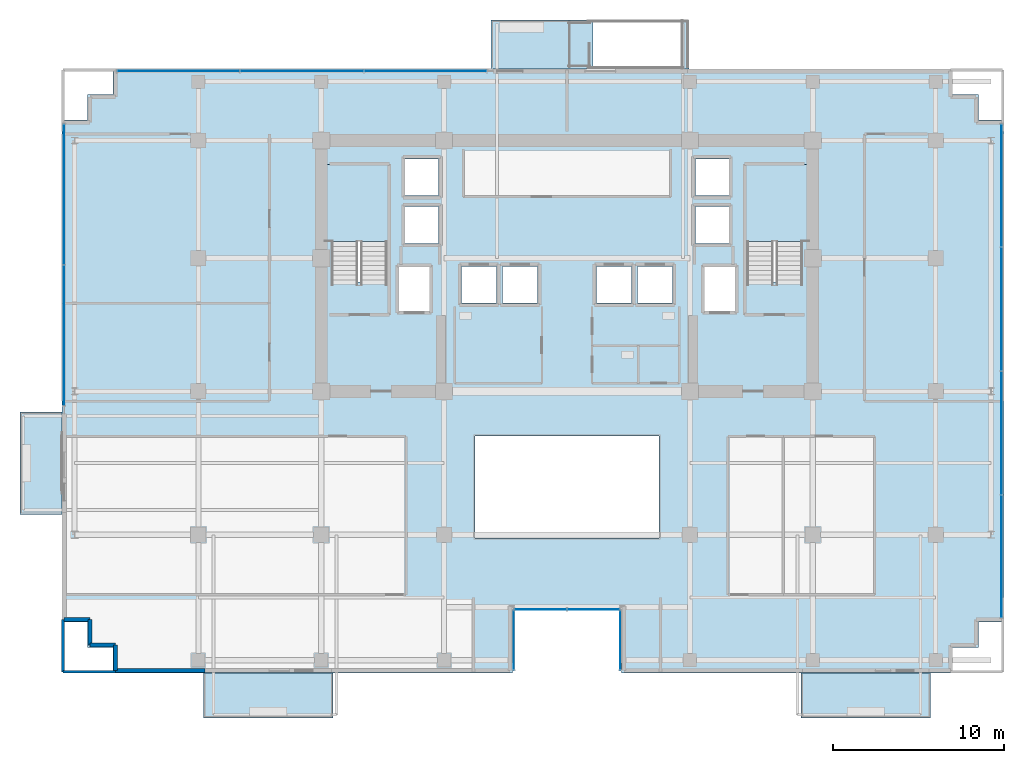
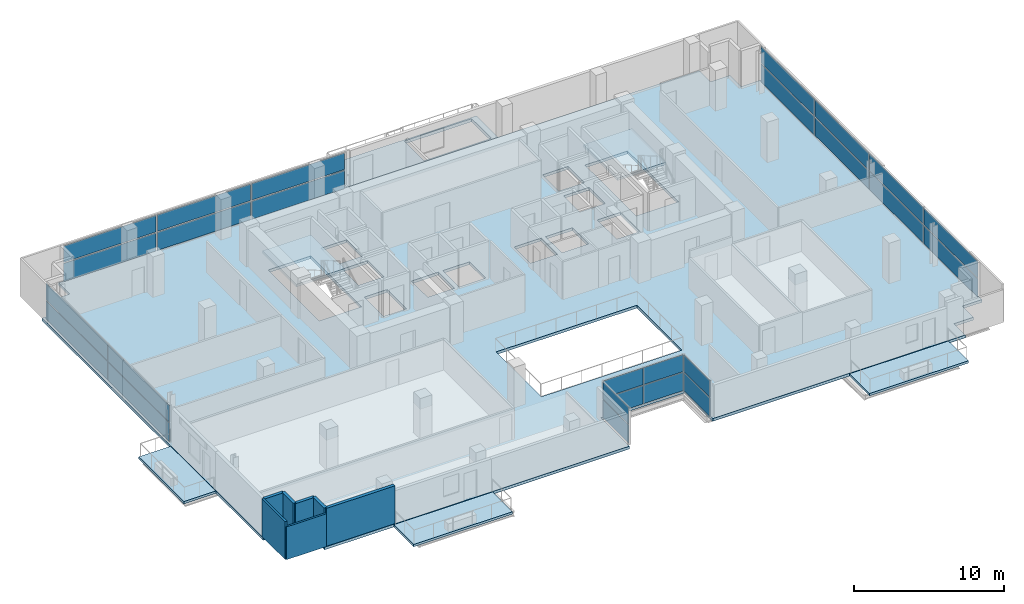
# One storey, part 19 of 28: 26 plates, 7 slabs, 7 walls, 8 elements without a shape of their own.
"""IFC4 building model written with IfcOpenShell, lengths in metres."""

from ifc_helpers import new_model, si_unit, direction, frame, frame_2d, origin, origin_2d, place, context, subcontext, project, spatial, polyline, rectangle, outline, extrude, source, transform, mapped, material, layer, layer_set, type_object, element, aggregate, save


model = new_model("IFC4")

# Units and contexts
model_context = context("Model", 3, precision=1e-05, world=origin(), true_north=direction((0.0, 1.0)))
body_context = subcontext(model_context, "Body", "Model", "MODEL_VIEW")
ifc_project = project(units=[si_unit("LENGTHUNIT", "METRE"), si_unit("AREAUNIT", "SQUARE_METRE"), si_unit("VOLUMEUNIT", "CUBIC_METRE"), si_unit("PLANEANGLEUNIT", "RADIAN"), si_unit("MASSUNIT", "GRAM", prefix="KILO")], contexts=[model_context])

# Site, building, storey
site_placement = place(None, origin())
site = spatial("IfcSite", under=ifc_project, at=site_placement, CompositionType="ELEMENT")
building_placement = place(site_placement, origin())
building = spatial("IfcBuilding", under=site, at=building_placement, Name="Zarnakvel Exchange Tower", CompositionType="ELEMENT")
storey_placement = place(building_placement, frame((0.0, 0.0, 90.10009765625)))
storey = spatial("IfcBuildingStorey", under=building, at=storey_placement, Name="L24", CompositionType="ELEMENT", Elevation=90.10009765625)

# Stair, slab
ifc_material_1 = material(Name="Concrete C40/50", Category="concrete")
stair_type = type_object("IfcStairType", Name="STR-01", PredefinedType="HALF_TURN_STAIR", material=ifc_material_1)
stair_1_placement = place(storey_placement, origin())
stair_1 = element("IfcStair", 1, at=stair_1_placement, inside=storey, type_object=stair_type, Name="L24 Protected Core Exit Stair ST-01", PredefinedType="HALF_TURN_STAIR")
ifc_layer_1 = layer(ifc_material_1, 0.199951171875)
ifc_layer_set_1 = layer_set([ifc_layer_1], Name="Concrete C40/50")
slab_type_1 = type_object("IfcSlabType", Name="LDG-01", PredefinedType="LANDING", material=ifc_layer_set_1)
slab_1_placement = place(storey_placement, frame((0.0, 0.0, 1.449951171875)))
slab_1 = element("IfcSlab", 2, at=slab_1_placement, type_object=slab_type_1, Name="ST-01 landing 1", PredefinedType="LANDING", context=body_context, shape_type="SweptSolid", body=[
    extrude(outline(polyline([(-14.18994140625, 7.570068359375), (-10.4599609375, 7.570068359375), (-10.4599609375, 12.080078125), (-14.18994140625, 12.080078125), (-14.18994140625, 7.570068359375)])), origin(), (0.0, 0.0, 1.0), 0.199951171875),
])
aggregate(stair_1, [slab_1])

stair_2_placement = place(storey_placement, origin())
stair_2 = element("IfcStair", 3, at=stair_2_placement, inside=storey, type_object=stair_type, Name="L24 Protected Core Exit Stair ST-02", PredefinedType="HALF_TURN_STAIR")
slab_2_placement = place(storey_placement, frame((0.0, 0.0, 1.449951171875)))
slab_2 = element("IfcSlab", 4, at=slab_2_placement, type_object=slab_type_1, Name="ST-02 landing 1", PredefinedType="LANDING", context=body_context, shape_type="SweptSolid", body=[
    extrude(outline(polyline([(10.4599609375, 7.570068359375), (14.18994140625, 7.570068359375), (14.18994140625, 12.080078125), (10.4599609375, 12.080078125), (10.4599609375, 7.570068359375)])), origin(), (0.0, 0.0, 1.0), 0.199951171875),
])
aggregate(stair_2, [slab_2])

# Slabs
ifc_layer_2 = layer(ifc_material_1, 0.22509765625)
ifc_layer_set_2 = layer_set([ifc_layer_2], Name="Concrete C40/50")
slab_type_2 = type_object("IfcSlabType", Name="SL-04", PredefinedType="FLOOR", material=ifc_layer_set_2)
slab_3_placement = place(storey_placement, frame((0.0, 0.0, -0.22509765625)))
element("IfcSlab", 5, at=slab_3_placement, inside=storey, type_object=slab_type_2, Name="L24 Primary Structural Floor Slab", PredefinedType="FLOOR", context=body_context, shape_type="SweptSolid", body=[
    extrude(outline(polyline([(-29.60009765625, -14.699951171875), (-28.10009765625, -14.699951171875), (-28.10009765625, -16.199951171875), (-26.60009765625, -16.199951171875), (-26.60009765625, -17.699951171875), (-3.199951171875, -17.699951171875), (-3.199951171875, -13.89990234375), (3.199951171875, -13.89990234375), (3.199951171875, -17.699951171875), (22.60009765625, -17.699951171875), (22.60009765625, -16.199951171875), (24.10009765625, -16.199951171875), (24.10009765625, -14.699951171875), (25.60009765625, -14.699951171875), (25.60009765625, 14.699951171875), (24.10009765625, 14.699951171875), (24.10009765625, 16.199951171875), (22.60009765625, 16.199951171875), (22.60009765625, 17.699951171875), (-26.60009765625, 17.699951171875), (-26.60009765625, 16.199951171875), (-28.10009765625, 16.199951171875), (-28.10009765625, 14.699951171875), (-29.60009765625, 14.699951171875), (-29.60009765625, -14.699951171875)]), holes=[polyline([(-5.39990234375, -9.800048828125), (5.39990234375, -9.800048828125), (5.39990234375, -3.800048828125), (-5.39990234375, -3.800048828125), (-5.39990234375, -9.800048828125)]), polyline([(-13.800048828125, 5.2099609375), (-10.5400390625, 5.2099609375), (-10.5400390625, 12.0), (-13.800048828125, 12.0), (-13.800048828125, 5.2099609375)]), polyline([(10.5400390625, 5.2099609375), (13.800048828125, 5.2099609375), (13.800048828125, 12.0), (10.5400390625, 12.0), (10.5400390625, 5.2099609375)]), polyline([(-9.830078125, 3.52001953125), (-8.070068359375, 3.52001953125), (-8.070068359375, 6.080078125), (-9.830078125, 6.080078125), (-9.830078125, 3.52001953125)]), polyline([(8.070068359375, 3.52001953125), (9.830078125, 3.52001953125), (9.830078125, 6.080078125), (8.070068359375, 6.080078125), (8.070068359375, 3.52001953125)]), polyline([(-6.179931640625, 3.969970703125), (-4.1201171875, 3.969970703125), (-4.1201171875, 6.1298828125), (-6.179931640625, 6.1298828125), (-6.179931640625, 3.969970703125)]), polyline([(-3.780029296875, 3.969970703125), (-1.719970703125, 3.969970703125), (-1.719970703125, 6.1298828125), (-3.780029296875, 6.1298828125), (-3.780029296875, 3.969970703125)]), polyline([(1.719970703125, 3.969970703125), (3.780029296875, 3.969970703125), (3.780029296875, 6.1298828125), (1.719970703125, 6.1298828125), (1.719970703125, 3.969970703125)]), polyline([(4.1201171875, 3.969970703125), (6.179931640625, 3.969970703125), (6.179931640625, 6.1298828125), (4.1201171875, 6.1298828125), (4.1201171875, 3.969970703125)]), polyline([(-9.47998046875, 7.469970703125), (-7.52001953125, 7.469970703125), (-7.52001953125, 9.6298828125), (-9.47998046875, 9.6298828125), (-9.47998046875, 7.469970703125)]), polyline([(-9.47998046875, 10.27001953125), (-7.52001953125, 10.27001953125), (-7.52001953125, 12.429931640625), (-9.47998046875, 12.429931640625), (-9.47998046875, 10.27001953125)]), polyline([(7.52001953125, 7.469970703125), (9.47998046875, 7.469970703125), (9.47998046875, 9.6298828125), (7.52001953125, 9.6298828125), (7.52001953125, 7.469970703125)]), polyline([(7.52001953125, 10.27001953125), (9.47998046875, 10.27001953125), (9.47998046875, 12.429931640625), (7.52001953125, 12.429931640625), (7.52001953125, 10.27001953125)])]), origin(), (0.0, 0.0, 1.0), 0.22509765625),
])
ifc_layer_3 = layer(ifc_material_1, 0.25)
ifc_layer_set_3 = layer_set([ifc_layer_3], Name="Concrete C40/50")
slab_type_3 = type_object("IfcSlabType", Name="SL-07", PredefinedType="ROOF", material=ifc_layer_set_3)
slab_4_placement = place(storey_placement, frame((0.0, 0.0, -0.25)))
element("IfcSlab", 6, at=slab_4_placement, inside=storey, type_object=slab_type_3, Name="L24 Spiral Sky-Terrace Outdoor Slab (NE)", PredefinedType="ROOF", context=body_context, shape_type="SweptSolid", body=[
    extrude(outline(polyline([(-4.449951171875, 17.699951171875), (7.14990234375, 17.699951171875), (7.14990234375, 20.56005859375), (-4.449951171875, 20.56005859375), (-4.449951171875, 17.699951171875)]), holes=[polyline([(1.510009765625, 17.820068359375), (6.699951171875, 17.820068359375), (6.699951171875, 20.43994140625), (1.510009765625, 20.43994140625), (1.510009765625, 17.820068359375)])]), origin(), (0.0, 0.0, 1.0), 0.25),
])
ifc_layer_4 = layer(ifc_material_1, 0.18994140625)
ifc_layer_set_4 = layer_set([ifc_layer_4], Name="Concrete C40/50")
slab_type_4 = type_object("IfcSlabType", Name="SL-08", PredefinedType="USERDEFINED", material=ifc_layer_set_4)
slab_5_placement = place(storey_placement, frame((0.0, 0.0, -0.22509765625)))
element("IfcSlab", 7, at=slab_5_placement, inside=storey, type_object=slab_type_4, Name="L24 Planted Loggia Balcony Slab BAL-L24-SW", ObjectType="BALCONY", PredefinedType="USERDEFINED", context=body_context, shape_type="SweptSolid", body=[
    extrude(outline(polyline([(-21.300048828125, -20.35009765625), (-13.699951171875, -20.35009765625), (-13.699951171875, -17.699951171875), (-21.300048828125, -17.699951171875), (-21.300048828125, -20.35009765625)])), origin(), (0.0, 0.0, 1.0), 0.18994140625),
])
slab_6_placement = place(storey_placement, frame((0.0, 0.0, -0.22509765625)))
element("IfcSlab", 8, at=slab_6_placement, inside=storey, type_object=slab_type_4, Name="L24 Planted Loggia Balcony Slab BAL-L24-SE", ObjectType="BALCONY", PredefinedType="USERDEFINED", context=body_context, shape_type="SweptSolid", body=[
    extrude(outline(polyline([(13.699951171875, -20.35009765625), (21.300048828125, -20.35009765625), (21.300048828125, -17.699951171875), (13.699951171875, -17.699951171875), (13.699951171875, -20.35009765625)])), origin(), (0.0, 0.0, 1.0), 0.18994140625),
])
slab_7_placement = place(storey_placement, frame((0.0, 0.0, -0.22509765625)))
element("IfcSlab", 9, at=slab_7_placement, inside=storey, type_object=slab_type_4, Name="L24 Planted Loggia Balcony Slab BAL-L24-W", ObjectType="BALCONY", PredefinedType="USERDEFINED", context=body_context, shape_type="SweptSolid", body=[
    extrude(outline(polyline([(-32.050048828125, -8.39990234375), (-29.60009765625, -8.39990234375), (-29.60009765625, -2.39990234375), (-32.050048828125, -2.39990234375), (-32.050048828125, -8.39990234375)])), origin(), (0.0, 0.0, 1.0), 0.18994140625),
])

# Curtain wall, plate
ifc_material_2 = material(Name="Architectural Bronze Anodised Aluminium", Category="aluminium")
ifc_layer_5 = layer(ifc_material_2, 0.179931640625)
ifc_layer_set_5 = layer_set([ifc_layer_5], Name="Architectural Bronze Anodised Aluminium")
curtain_wall_type_1 = type_object("IfcCurtainWallType", Name="CW-05", PredefinedType="NOTDEFINED", material=ifc_layer_set_5)
curtain_wall_1_placement = place(storey_placement, origin())
curtain_wall_1 = element("IfcCurtainWall", 10, at=curtain_wall_1_placement, inside=storey, type_object=curtain_wall_type_1, Name="L24 Curtain Wall CW-L24-SLW (CW-05)", PredefinedType="NOTDEFINED")
ifc_material_3 = material(Name="Double Low-E Laminated Vision Glass", Category="glass")
ifc_layer_6 = layer(ifc_material_3, 0.02587890625)
ifc_layer_set_6 = layer_set([ifc_layer_6], Name="Double Low-E Laminated Vision Glass")
plate_type_1 = type_object("IfcPlateType", Name="CWP-05", PredefinedType="CURTAIN_PANEL", material=ifc_layer_set_6)
shared_shape_1 = source(origin(), body_context, "Body", "SweptSolid", [
    extrude(rectangle(XDim=3.4599609375, YDim=0.02587890625, at=origin_2d()), origin(), (0.0, 0.0, 1.0), 1.483642578125),
])
plate_1_placement = place(storey_placement, frame((-3.1201171875, -15.780029296875, 0.06982421875), z_axis=(0.0, 0.0, 1.0), x_axis=(0.0, 1.0, 0.0)))
plate_1 = element("IfcPlate", 11, at=plate_1_placement, type_object=plate_type_1, Name="CW-05 panel 1.1", PredefinedType="CURTAIN_PANEL", context=body_context, shape_type="MappedRepresentation", body=[
    mapped(shared_shape_1, transform((0.0, 0.0, 0.0), x_axis=(1.0, 0.0, 0.0), y_axis=(0.0, 1.0, 0.0), z_axis=(0.0, 0.0, 1.0), scale=1.0)),
])

curtain_wall_2_placement = place(storey_placement, origin())
curtain_wall_2 = element("IfcCurtainWall", 12, at=curtain_wall_2_placement, inside=storey, type_object=curtain_wall_type_1, Name="L24 Curtain Wall CW-L24-SLE (CW-05)", PredefinedType="NOTDEFINED")
plate_2_placement = place(storey_placement, frame((3.1201171875, -15.780029296875, 0.06982421875), z_axis=(0.0, 0.0, 1.0), x_axis=(0.0, -1.0, 0.0)))
plate_2 = element("IfcPlate", 13, at=plate_2_placement, type_object=plate_type_1, Name="CW-05 panel 1.1", PredefinedType="CURTAIN_PANEL", context=body_context, shape_type="MappedRepresentation", body=[
    mapped(shared_shape_1, transform((0.0, 0.0, 0.0), x_axis=(1.0, 0.0, 0.0), y_axis=(0.0, 1.0, 0.0), z_axis=(0.0, 0.0, 1.0), scale=1.0)),
])

# Plate
shared_shape_2 = source(origin(), body_context, "Body", "SweptSolid", [
    extrude(rectangle(XDim=3.4599609375, YDim=0.02587890625, at=origin_2d()), origin(), (0.0, 0.0, 1.0), 1.361328125),
])
plate_3_placement = place(storey_placement, frame((-3.1201171875, -15.780029296875, 1.62353515625), z_axis=(0.0, 0.0, 1.0), x_axis=(0.0, 1.0, 0.0)))
plate_3 = element("IfcPlate", 14, at=plate_3_placement, type_object=plate_type_1, Name="CW-05 panel 1.2", PredefinedType="CURTAIN_PANEL", context=body_context, shape_type="MappedRepresentation", body=[
    mapped(shared_shape_2, transform((0.0, 0.0, 0.0), x_axis=(1.0, 0.0, 0.0), y_axis=(0.0, 1.0, 0.0), z_axis=(0.0, 0.0, 1.0), scale=1.0)),
])

aggregate(curtain_wall_1, [plate_1, plate_3])

plate_4_placement = place(storey_placement, frame((3.1201171875, -15.780029296875, 1.62353515625), z_axis=(0.0, 0.0, 1.0), x_axis=(0.0, -1.0, 0.0)))
plate_4 = element("IfcPlate", 15, at=plate_4_placement, type_object=plate_type_1, Name="CW-05 panel 1.2", PredefinedType="CURTAIN_PANEL", context=body_context, shape_type="MappedRepresentation", body=[
    mapped(shared_shape_2, transform((0.0, 0.0, 0.0), x_axis=(1.0, 0.0, 0.0), y_axis=(0.0, 1.0, 0.0), z_axis=(0.0, 0.0, 1.0), scale=1.0)),
])

aggregate(curtain_wall_2, [plate_2, plate_4])

# Curtain wall, plates
curtain_wall_3_placement = place(storey_placement, origin())
curtain_wall_3 = element("IfcCurtainWall", 16, at=curtain_wall_3_placement, inside=storey, type_object=curtain_wall_type_1, Name="L24 Curtain Wall CW-L24-SLB (CW-05)", PredefinedType="NOTDEFINED")
shared_shape_3 = source(origin(), body_context, "Body", "SweptSolid", [
    extrude(rectangle(XDim=3.014892578125, YDim=0.02587890625, at=origin_2d()), origin(), (0.0, 0.0, 1.0), 1.483642578125),
])
plate_5_placement = place(storey_placement, frame((-1.54248046875, -13.97998046875, 0.06982421875), z_axis=(0.0, 0.0, 1.0), x_axis=(1.0, 0.0, 0.0)))
plate_5 = element("IfcPlate", 17, at=plate_5_placement, type_object=plate_type_1, Name="CW-05 panel 1.1", PredefinedType="CURTAIN_PANEL", context=body_context, shape_type="MappedRepresentation", body=[
    mapped(shared_shape_3, transform((0.0, 0.0, 0.0), x_axis=(1.0, 0.0, 0.0), y_axis=(0.0, 1.0, 0.0), z_axis=(0.0, 0.0, 1.0), scale=1.0)),
])
plate_6_placement = place(storey_placement, frame((1.54248046875, -13.97998046875, 0.06982421875), z_axis=(0.0, 0.0, 1.0), x_axis=(1.0, 0.0, 0.0)))
plate_6 = element("IfcPlate", 18, at=plate_6_placement, type_object=plate_type_1, Name="CW-05 panel 2.1", PredefinedType="CURTAIN_PANEL", context=body_context, shape_type="MappedRepresentation", body=[
    mapped(shared_shape_3, transform((0.0, 0.0, 0.0), x_axis=(1.0, 0.0, 0.0), y_axis=(0.0, 1.0, 0.0), z_axis=(0.0, 0.0, 1.0), scale=1.0)),
])
shared_shape_4 = source(origin(), body_context, "Body", "SweptSolid", [
    extrude(rectangle(XDim=3.014892578125, YDim=0.02587890625, at=origin_2d()), origin(), (0.0, 0.0, 1.0), 1.361328125),
])
plate_7_placement = place(storey_placement, frame((-1.54248046875, -13.97998046875, 1.62353515625), z_axis=(0.0, 0.0, 1.0), x_axis=(1.0, 0.0, 0.0)))
plate_7 = element("IfcPlate", 19, at=plate_7_placement, type_object=plate_type_1, Name="CW-05 panel 1.2", PredefinedType="CURTAIN_PANEL", context=body_context, shape_type="MappedRepresentation", body=[
    mapped(shared_shape_4, transform((0.0, 0.0, 0.0), x_axis=(1.0, 0.0, 0.0), y_axis=(0.0, 1.0, 0.0), z_axis=(0.0, 0.0, 1.0), scale=1.0)),
])
plate_8_placement = place(storey_placement, frame((1.54248046875, -13.97998046875, 1.62353515625), z_axis=(0.0, 0.0, 1.0), x_axis=(1.0, 0.0, 0.0)))
plate_8 = element("IfcPlate", 20, at=plate_8_placement, type_object=plate_type_1, Name="CW-05 panel 2.2", PredefinedType="CURTAIN_PANEL", context=body_context, shape_type="MappedRepresentation", body=[
    mapped(shared_shape_4, transform((0.0, 0.0, 0.0), x_axis=(1.0, 0.0, 0.0), y_axis=(0.0, 1.0, 0.0), z_axis=(0.0, 0.0, 1.0), scale=1.0)),
])
aggregate(curtain_wall_3, [plate_5, plate_7, plate_6, plate_8])

ifc_layer_7 = layer(ifc_material_2, 0.239990234375)
ifc_layer_set_7 = layer_set([ifc_layer_7], Name="Architectural Bronze Anodised Aluminium")
curtain_wall_type_2 = type_object("IfcCurtainWallType", Name="CW-02", PredefinedType="NOTDEFINED", material=ifc_layer_set_7)
curtain_wall_4_placement = place(storey_placement, origin())
curtain_wall_4 = element("IfcCurtainWall", 21, at=curtain_wall_4_placement, inside=storey, type_object=curtain_wall_type_2, Name="L24 Curtain Wall CW-L24-N1 (CW-02)", PredefinedType="NOTDEFINED")
ifc_layer_8 = layer(ifc_material_3, 0.031982421875)
ifc_layer_set_8 = layer_set([ifc_layer_8], Name="Double Low-E Laminated Vision Glass")
plate_type_2 = type_object("IfcPlateType", Name="CWP-02", PredefinedType="CURTAIN_PANEL", material=ifc_layer_set_8)
shared_shape_5 = source(origin(), body_context, "Body", "SweptSolid", [
    extrude(rectangle(XDim=7.114990234375, YDim=0.031982421875, at=origin_2d()), origin(), (0.0, 0.0, 1.0), 1.461181640625),
])
plate_9_placement = place(storey_placement, frame((-22.75244140625, 17.56005859375, 0.0849609375), z_axis=(0.0, 0.0, 1.0), x_axis=(1.0, 0.0, 0.0)))
plate_9 = element("IfcPlate", 22, at=plate_9_placement, type_object=plate_type_2, Name="CW-02 panel 1.1", PredefinedType="CURTAIN_PANEL", context=body_context, shape_type="MappedRepresentation", body=[
    mapped(shared_shape_5, transform((0.0, 0.0, 0.0), x_axis=(1.0, 0.0, 0.0), y_axis=(0.0, 1.0, 0.0), z_axis=(0.0, 0.0, 1.0), scale=1.0)),
])
plate_10_placement = place(storey_placement, frame((-8.297607421875, 17.56005859375, 0.0849609375), z_axis=(0.0, 0.0, 1.0), x_axis=(1.0, 0.0, 0.0)))
plate_10 = element("IfcPlate", 23, at=plate_10_placement, type_object=plate_type_2, Name="CW-02 panel 3.1", PredefinedType="CURTAIN_PANEL", context=body_context, shape_type="MappedRepresentation", body=[
    mapped(shared_shape_5, transform((0.0, 0.0, 0.0), x_axis=(1.0, 0.0, 0.0), y_axis=(0.0, 1.0, 0.0), z_axis=(0.0, 0.0, 1.0), scale=1.0)),
])
shared_shape_6 = source(origin(), body_context, "Body", "SweptSolid", [
    extrude(rectangle(XDim=7.114990234375, YDim=0.031982421875, at=origin_2d()), origin(), (0.0, 0.0, 1.0), 1.3388671875),
])
plate_11_placement = place(storey_placement, frame((-22.75244140625, 17.56005859375, 1.631103515625), z_axis=(0.0, 0.0, 1.0), x_axis=(1.0, 0.0, 0.0)))
plate_11 = element("IfcPlate", 24, at=plate_11_placement, type_object=plate_type_2, Name="CW-02 panel 1.2", PredefinedType="CURTAIN_PANEL", context=body_context, shape_type="MappedRepresentation", body=[
    mapped(shared_shape_6, transform((0.0, 0.0, 0.0), x_axis=(1.0, 0.0, 0.0), y_axis=(0.0, 1.0, 0.0), z_axis=(0.0, 0.0, 1.0), scale=1.0)),
])
plate_12_placement = place(storey_placement, frame((-8.297607421875, 17.56005859375, 1.631103515625), z_axis=(0.0, 0.0, 1.0), x_axis=(1.0, 0.0, 0.0)))
plate_12 = element("IfcPlate", 25, at=plate_12_placement, type_object=plate_type_2, Name="CW-02 panel 3.2", PredefinedType="CURTAIN_PANEL", context=body_context, shape_type="MappedRepresentation", body=[
    mapped(shared_shape_6, transform((0.0, 0.0, 0.0), x_axis=(1.0, 0.0, 0.0), y_axis=(0.0, 1.0, 0.0), z_axis=(0.0, 0.0, 1.0), scale=1.0)),
])
shared_shape_7 = source(origin(), body_context, "Body", "SweptSolid", [
    extrude(rectangle(XDim=7.159912109375, YDim=0.031982421875, at=origin_2d()), origin(), (0.0, 0.0, 1.0), 1.461181640625),
])
plate_13_placement = place(storey_placement, frame((-15.52490234375, 17.56005859375, 0.0849609375), z_axis=(0.0, 0.0, 1.0), x_axis=(1.0, 0.0, 0.0)))
plate_13 = element("IfcPlate", 26, at=plate_13_placement, type_object=plate_type_2, Name="CW-02 panel 2.1", PredefinedType="CURTAIN_PANEL", context=body_context, shape_type="MappedRepresentation", body=[
    mapped(shared_shape_7, transform((0.0, 0.0, 0.0), x_axis=(1.0, 0.0, 0.0), y_axis=(0.0, 1.0, 0.0), z_axis=(0.0, 0.0, 1.0), scale=1.0)),
])
shared_shape_8 = source(origin(), body_context, "Body", "SweptSolid", [
    extrude(rectangle(XDim=7.159912109375, YDim=0.031982421875, at=origin_2d()), origin(), (0.0, 0.0, 1.0), 1.3388671875),
])
plate_14_placement = place(storey_placement, frame((-15.52490234375, 17.56005859375, 1.631103515625), z_axis=(0.0, 0.0, 1.0), x_axis=(1.0, 0.0, 0.0)))
plate_14 = element("IfcPlate", 27, at=plate_14_placement, type_object=plate_type_2, Name="CW-02 panel 2.2", PredefinedType="CURTAIN_PANEL", context=body_context, shape_type="MappedRepresentation", body=[
    mapped(shared_shape_8, transform((0.0, 0.0, 0.0), x_axis=(1.0, 0.0, 0.0), y_axis=(0.0, 1.0, 0.0), z_axis=(0.0, 0.0, 1.0), scale=1.0)),
])
aggregate(curtain_wall_4, [plate_9, plate_11, plate_13, plate_14, plate_10, plate_12])

ifc_layer_9 = layer(ifc_material_2, 0.199951171875)
ifc_layer_set_9 = layer_set([ifc_layer_9], Name="Architectural Bronze Anodised Aluminium")
curtain_wall_type_3 = type_object("IfcCurtainWallType", Name="CW-04", PredefinedType="NOTDEFINED", material=ifc_layer_set_9)
curtain_wall_5_placement = place(storey_placement, origin())
curtain_wall_5 = element("IfcCurtainWall", 28, at=curtain_wall_5_placement, inside=storey, type_object=curtain_wall_type_3, Name="L24 Curtain Wall CW-L24-E1 (CW-04)", PredefinedType="NOTDEFINED")
ifc_layer_10 = layer(ifc_material_3, 0.028076171875)
ifc_layer_set_10 = layer_set([ifc_layer_10], Name="Double Low-E Laminated Vision Glass")
plate_type_3 = type_object("IfcPlateType", Name="CWP-04", PredefinedType="CURTAIN_PANEL", material=ifc_layer_set_10)
shared_shape_9 = source(origin(), body_context, "Body", "SweptSolid", [
    extrude(rectangle(XDim=7.137451171875, YDim=0.028076171875, at=origin_2d()), origin(), (0.0, 0.0, 1.0), 1.47607421875),
])
plate_15_placement = place(storey_placement, frame((25.4599609375, -10.856201171875, 0.074951171875), z_axis=(0.0, 0.0, 1.0), x_axis=(0.0, 1.0, 0.0)))
plate_15 = element("IfcPlate", 29, at=plate_15_placement, type_object=plate_type_3, Name="CW-04 panel 1.1", PredefinedType="CURTAIN_PANEL", context=body_context, shape_type="MappedRepresentation", body=[
    mapped(shared_shape_9, transform((0.0, 0.0, 0.0), x_axis=(1.0, 0.0, 0.0), y_axis=(0.0, 1.0, 0.0), z_axis=(0.0, 0.0, 1.0), scale=1.0)),
])
plate_16_placement = place(storey_placement, frame((25.4599609375, 10.856201171875, 0.074951171875), z_axis=(0.0, 0.0, 1.0), x_axis=(0.0, 1.0, 0.0)))
plate_16 = element("IfcPlate", 30, at=plate_16_placement, type_object=plate_type_3, Name="CW-04 panel 4.1", PredefinedType="CURTAIN_PANEL", context=body_context, shape_type="MappedRepresentation", body=[
    mapped(shared_shape_9, transform((0.0, 0.0, 0.0), x_axis=(1.0, 0.0, 0.0), y_axis=(0.0, 1.0, 0.0), z_axis=(0.0, 0.0, 1.0), scale=1.0)),
])
shared_shape_10 = source(origin(), body_context, "Body", "SweptSolid", [
    extrude(rectangle(XDim=7.137451171875, YDim=0.028076171875, at=origin_2d()), origin(), (0.0, 0.0, 1.0), 1.35400390625),
])
plate_17_placement = place(storey_placement, frame((25.4599609375, -10.856201171875, 1.6259765625), z_axis=(0.0, 0.0, 1.0), x_axis=(0.0, 1.0, 0.0)))
plate_17 = element("IfcPlate", 31, at=plate_17_placement, type_object=plate_type_3, Name="CW-04 panel 1.2", PredefinedType="CURTAIN_PANEL", context=body_context, shape_type="MappedRepresentation", body=[
    mapped(shared_shape_10, transform((0.0, 0.0, 0.0), x_axis=(1.0, 0.0, 0.0), y_axis=(0.0, 1.0, 0.0), z_axis=(0.0, 0.0, 1.0), scale=1.0)),
])
plate_18_placement = place(storey_placement, frame((25.4599609375, 10.856201171875, 1.6259765625), z_axis=(0.0, 0.0, 1.0), x_axis=(0.0, 1.0, 0.0)))
plate_18 = element("IfcPlate", 32, at=plate_18_placement, type_object=plate_type_3, Name="CW-04 panel 4.2", PredefinedType="CURTAIN_PANEL", context=body_context, shape_type="MappedRepresentation", body=[
    mapped(shared_shape_10, transform((0.0, 0.0, 0.0), x_axis=(1.0, 0.0, 0.0), y_axis=(0.0, 1.0, 0.0), z_axis=(0.0, 0.0, 1.0), scale=1.0)),
])
shared_shape_11 = source(origin(), body_context, "Body", "SweptSolid", [
    extrude(rectangle(XDim=7.175048828125, YDim=0.028076171875, at=origin_2d()), origin(), (0.0, 0.0, 1.0), 1.47607421875),
])
plate_19_placement = place(storey_placement, frame((25.4599609375, -3.625, 0.074951171875), z_axis=(0.0, 0.0, 1.0), x_axis=(0.0, 1.0, 0.0)))
plate_19 = element("IfcPlate", 33, at=plate_19_placement, type_object=plate_type_3, Name="CW-04 panel 2.1", PredefinedType="CURTAIN_PANEL", context=body_context, shape_type="MappedRepresentation", body=[
    mapped(shared_shape_11, transform((0.0, 0.0, 0.0), x_axis=(1.0, 0.0, 0.0), y_axis=(0.0, 1.0, 0.0), z_axis=(0.0, 0.0, 1.0), scale=1.0)),
])
plate_20_placement = place(storey_placement, frame((25.4599609375, 3.625, 0.074951171875), z_axis=(0.0, 0.0, 1.0), x_axis=(0.0, 1.0, 0.0)))
plate_20 = element("IfcPlate", 34, at=plate_20_placement, type_object=plate_type_3, Name="CW-04 panel 3.1", PredefinedType="CURTAIN_PANEL", context=body_context, shape_type="MappedRepresentation", body=[
    mapped(shared_shape_11, transform((0.0, 0.0, 0.0), x_axis=(1.0, 0.0, 0.0), y_axis=(0.0, 1.0, 0.0), z_axis=(0.0, 0.0, 1.0), scale=1.0)),
])
shared_shape_12 = source(origin(), body_context, "Body", "SweptSolid", [
    extrude(rectangle(XDim=7.175048828125, YDim=0.028076171875, at=origin_2d()), origin(), (0.0, 0.0, 1.0), 1.35400390625),
])
plate_21_placement = place(storey_placement, frame((25.4599609375, -3.625, 1.6259765625), z_axis=(0.0, 0.0, 1.0), x_axis=(0.0, 1.0, 0.0)))
plate_21 = element("IfcPlate", 35, at=plate_21_placement, type_object=plate_type_3, Name="CW-04 panel 2.2", PredefinedType="CURTAIN_PANEL", context=body_context, shape_type="MappedRepresentation", body=[
    mapped(shared_shape_12, transform((0.0, 0.0, 0.0), x_axis=(1.0, 0.0, 0.0), y_axis=(0.0, 1.0, 0.0), z_axis=(0.0, 0.0, 1.0), scale=1.0)),
])
plate_22_placement = place(storey_placement, frame((25.4599609375, 3.625, 1.6259765625), z_axis=(0.0, 0.0, 1.0), x_axis=(0.0, 1.0, 0.0)))
plate_22 = element("IfcPlate", 36, at=plate_22_placement, type_object=plate_type_3, Name="CW-04 panel 3.2", PredefinedType="CURTAIN_PANEL", context=body_context, shape_type="MappedRepresentation", body=[
    mapped(shared_shape_12, transform((0.0, 0.0, 0.0), x_axis=(1.0, 0.0, 0.0), y_axis=(0.0, 1.0, 0.0), z_axis=(0.0, 0.0, 1.0), scale=1.0)),
])
aggregate(curtain_wall_5, [plate_15, plate_17, plate_19, plate_21, plate_20, plate_22, plate_16, plate_18])

curtain_wall_6_placement = place(storey_placement, origin())
curtain_wall_6 = element("IfcCurtainWall", 37, at=curtain_wall_6_placement, inside=storey, type_object=curtain_wall_type_3, Name="L24 Curtain Wall CW-L24-WN (CW-04)", PredefinedType="NOTDEFINED")
shared_shape_13 = source(origin(), body_context, "Body", "SweptSolid", [
    extrude(rectangle(XDim=8.1875, YDim=0.028076171875, at=origin_2d()), origin(), (0.0, 0.0, 1.0), 1.47607421875),
])
plate_23_placement = place(storey_placement, frame((-29.4599609375, 2.06884765625, 0.074951171875), z_axis=(0.0, 0.0, 1.0), x_axis=(0.0, 1.0, 0.0)))
plate_23 = element("IfcPlate", 38, at=plate_23_placement, type_object=plate_type_3, Name="CW-04 panel 1.1", PredefinedType="CURTAIN_PANEL", context=body_context, shape_type="MappedRepresentation", body=[
    mapped(shared_shape_13, transform((0.0, 0.0, 0.0), x_axis=(1.0, 0.0, 0.0), y_axis=(0.0, 1.0, 0.0), z_axis=(0.0, 0.0, 1.0), scale=1.0)),
])
plate_24_placement = place(storey_placement, frame((-29.4599609375, 10.331298828125, 0.074951171875), z_axis=(0.0, 0.0, 1.0), x_axis=(0.0, 1.0, 0.0)))
plate_24 = element("IfcPlate", 39, at=plate_24_placement, type_object=plate_type_3, Name="CW-04 panel 2.1", PredefinedType="CURTAIN_PANEL", context=body_context, shape_type="MappedRepresentation", body=[
    mapped(shared_shape_13, transform((0.0, 0.0, 0.0), x_axis=(1.0, 0.0, 0.0), y_axis=(0.0, 1.0, 0.0), z_axis=(0.0, 0.0, 1.0), scale=1.0)),
])
shared_shape_14 = source(origin(), body_context, "Body", "SweptSolid", [
    extrude(rectangle(XDim=8.1875, YDim=0.028076171875, at=origin_2d()), origin(), (0.0, 0.0, 1.0), 1.35400390625),
])
plate_25_placement = place(storey_placement, frame((-29.4599609375, 2.06884765625, 1.6259765625), z_axis=(0.0, 0.0, 1.0), x_axis=(0.0, 1.0, 0.0)))
plate_25 = element("IfcPlate", 40, at=plate_25_placement, type_object=plate_type_3, Name="CW-04 panel 1.2", PredefinedType="CURTAIN_PANEL", context=body_context, shape_type="MappedRepresentation", body=[
    mapped(shared_shape_14, transform((0.0, 0.0, 0.0), x_axis=(1.0, 0.0, 0.0), y_axis=(0.0, 1.0, 0.0), z_axis=(0.0, 0.0, 1.0), scale=1.0)),
])
plate_26_placement = place(storey_placement, frame((-29.4599609375, 10.331298828125, 1.6259765625), z_axis=(0.0, 0.0, 1.0), x_axis=(0.0, 1.0, 0.0)))
plate_26 = element("IfcPlate", 41, at=plate_26_placement, type_object=plate_type_3, Name="CW-04 panel 2.2", PredefinedType="CURTAIN_PANEL", context=body_context, shape_type="MappedRepresentation", body=[
    mapped(shared_shape_14, transform((0.0, 0.0, 0.0), x_axis=(1.0, 0.0, 0.0), y_axis=(0.0, 1.0, 0.0), z_axis=(0.0, 0.0, 1.0), scale=1.0)),
])
aggregate(curtain_wall_6, [plate_23, plate_25, plate_24, plate_26])

# Walls
ifc_material_4 = material(Name="Precast concrete C40/50", Category="concrete")
ifc_layer_11 = layer(ifc_material_4, 0.239990234375)
ifc_layer_set_11 = layer_set([ifc_layer_11], Name="Precast concrete C40/50")
wall_type_1 = type_object("IfcWallType", Name="EW-02", PredefinedType="SOLIDWALL", material=ifc_layer_set_11)
wall_1_placement = place(storey_placement, frame((-26.4599609375, -17.56005859375, 0.0), z_axis=(0.0, 0.0, 1.0), x_axis=(1.0, 0.0, 0.0)))
element("IfcWall", 42, at=wall_1_placement, inside=storey, type_object=wall_type_1, Name="L24 Exterior Precast Spandrel Wall EWC-L24-24 (EW-02)", PredefinedType="SOLIDWALL", context=body_context, shape_type="SweptSolid", body=[
    extrude(rectangle(XDim=5.260009765625, YDim=0.239990234375, at=frame_2d((2.6298828125, 0.0))), origin(), (0.0, 0.0, 1.0), 3.074951171875),
])
for number, where, z_axis, x_axis, name in (
    (43, (-26.4599609375, -16.06005859375, 0.0), (0.0, 0.0, 1.0), (0.0, -1.0, 0.0), "L24 Exterior Precast Spandrel Wall EWC-L24-25 (EW-02)"),
    (44, (-27.9599609375, -16.06005859375, 0.0), (0.0, 0.0, 1.0), (1.0, 0.0, 0.0), "L24 Exterior Precast Spandrel Wall EWC-L24-26 (EW-02)"),
    (45, (-27.9599609375, -14.56005859375, 0.0), (0.0, 0.0, 1.0), (0.0, -1.0, 0.0), "L24 Exterior Precast Spandrel Wall EWC-L24-27 (EW-02)"),
    (46, (-29.4599609375, -14.56005859375, 0.0), (0.0, 0.0, 1.0), (1.0, 0.0, 0.0), "L24 Exterior Precast Spandrel Wall EWC-L24-28 (EW-02)"),
):
    element("IfcWall", number, at=place(storey_placement, frame(where, z_axis=z_axis, x_axis=x_axis)), inside=storey, type_object=wall_type_1, Name=name, PredefinedType="SOLIDWALL", context=body_context, shape_type="SweptSolid", body=[
        extrude(rectangle(XDim=1.5, YDim=0.239990234375, at=frame_2d((0.75, 0.0))), origin(), (0.0, 0.0, 1.0), 3.074951171875),
    ])
ifc_material_5 = material(Name="Fire-Rated Gypsum Stud Partition", Category="gypsum")
ifc_layer_12 = layer(ifc_material_5, 0.14990234375)
ifc_layer_set_12 = layer_set([ifc_layer_12], Name="Fire-Rated Gypsum Stud Partition")
wall_type_2 = type_object("IfcWallType", Name="PT-01", PredefinedType="PARTITIONING", material=ifc_layer_set_12)
wall_2_placement = place(storey_placement, frame((-26.4599609375, -17.6298828125, 0.0), z_axis=(0.0, 0.0, 1.0), x_axis=(-1.0, 0.0, 0.0)))
element("IfcWall", 47, at=wall_2_placement, inside=storey, type_object=wall_type_2, Name="L24 Partition Wall PWALL-L24-029 (PT-01)", PredefinedType="PARTITIONING", context=body_context, shape_type="SweptSolid", body=[
    extrude(rectangle(XDim=3.070068359375, YDim=0.14990234375, at=frame_2d((1.53515625, 0.0))), origin(), (0.0, 0.0, 1.0), 2.664794921875),
])
wall_3_placement = place(storey_placement, frame((-29.530029296875, -17.6298828125, 0.0), z_axis=(0.0, 0.0, 1.0), x_axis=(0.0, 1.0, 0.0)))
element("IfcWall", 48, at=wall_3_placement, inside=storey, type_object=wall_type_2, Name="L24 Partition Wall PWALL-L24-030 (PT-01)", PredefinedType="PARTITIONING", context=body_context, shape_type="SweptSolid", body=[
    extrude(rectangle(XDim=3.06982421875, YDim=0.14990234375, at=frame_2d((1.534912109375, 0.0))), origin(), (0.0, 0.0, 1.0), 3.074951171875),
])

save(model, "model.ifc")
